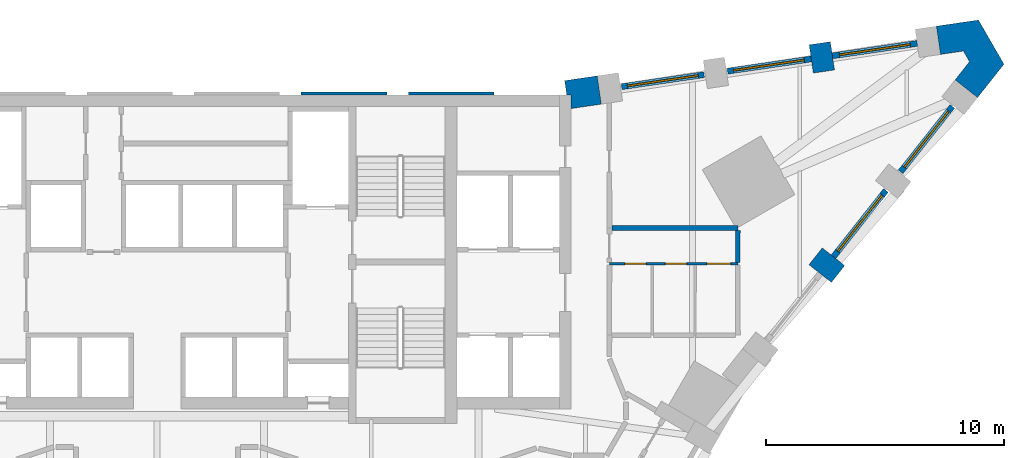
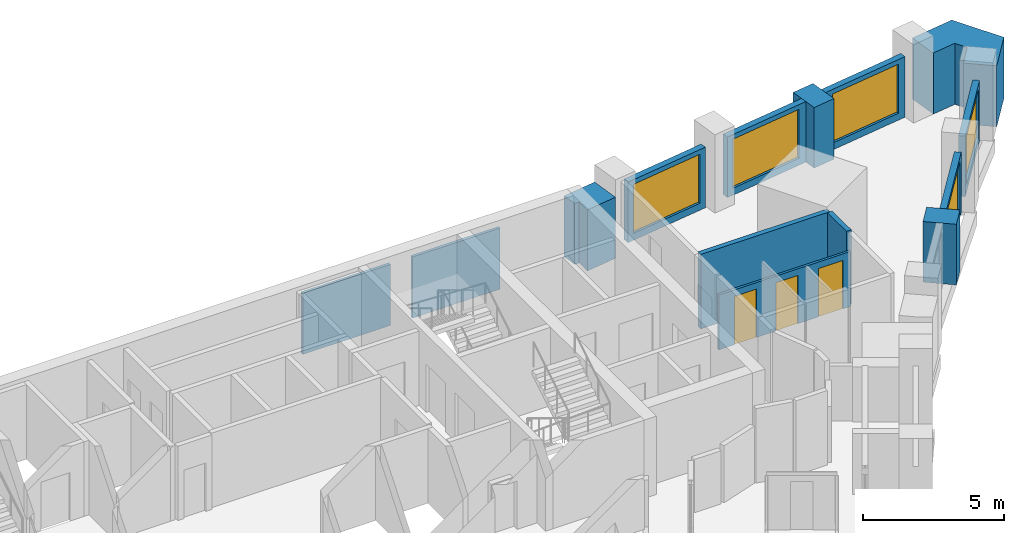
# One storey, part 9 of 11: 14 walls, 5 windows, 3 doors, 8 openings.
"""IFC4 building model written with IfcOpenShell, lengths in metres."""

from ifc_helpers import new_model, si_unit, direction, frame, frame_2d, origin, place, context, subcontext, project, spatial, polyline, rectangle, outline, extrude, material, layer, layer_set, type_object, element, fill, save


model = new_model("IFC4")

# Units and contexts
model_context = context("Model", 3, precision=1e-05, world=origin(), true_north=direction((0.0, 1.0)))
body_context = subcontext(model_context, "Body", "Model", "MODEL_VIEW")
ifc_project = project(units=[si_unit("LENGTHUNIT", "METRE"), si_unit("AREAUNIT", "SQUARE_METRE"), si_unit("VOLUMEUNIT", "CUBIC_METRE"), si_unit("PLANEANGLEUNIT", "RADIAN"), si_unit("MASSUNIT", "GRAM", prefix="KILO")], contexts=[model_context])

# Site, building, storey
site_placement = place(None, origin())
site = spatial("IfcSite", under=ifc_project, at=site_placement, CompositionType="ELEMENT")
building_placement = place(site_placement, origin())
building = spatial("IfcBuilding", under=site, at=building_placement, Name="Calabash Gate Tower", CompositionType="ELEMENT")
storey_placement = place(building_placement, frame((0.0, 0.0, 129.199951171875)))
storey = spatial("IfcBuildingStorey", under=building, at=storey_placement, Name="L30", CompositionType="ELEMENT", Elevation=129.199951171875)

# Walls
ifc_material_1 = material(Name="Terracotta brick masonry, exposed face", Category="masonry")
ifc_layer_1 = layer(ifc_material_1, 1.199951171875)
ifc_layer_set_1 = layer_set([ifc_layer_1], Name="Brick end wall 1200")
wall_type_1 = type_object("IfcWallType", Name="Brick end wall 1200", PredefinedType="SOLIDWALL", material=ifc_layer_set_1)
wall_1_placement = place(storey_placement, frame((28.6083984375, 11.5224609375, 0.0), z_axis=(0.0, 0.0, 1.0), x_axis=(-0.784408686564, 0.620244316736, 0.0)))
element("IfcWall", 1, at=wall_1_placement, inside=storey, type_object=wall_type_1, Name="Brick pier S08 wedge3.1", PredefinedType="SOLIDWALL", context=body_context, shape_type="SweptSolid", body=[
    extrude(rectangle(XDim=1.2001953125, YDim=0.89990234375, at=frame_2d((0.60009765625, 0.0))), origin(), (0.0, 0.0, 1.0), 2.630126953125),
])
wall_2_placement = place(storey_placement, frame((27.84033203125, 21.217041015625, 0.0), z_axis=(0.0, 0.0, 1.0), x_axis=(0.145066385332, -0.989421924078, 0.0)))
element("IfcWall", 2, at=wall_2_placement, inside=storey, type_object=wall_type_1, Name="Brick pier S08 wedge5.1", PredefinedType="SOLIDWALL", context=body_context, shape_type="SweptSolid", body=[
    extrude(rectangle(XDim=1.199951171875, YDim=0.89990234375, at=frame_2d((0.60009765625, 0.0))), origin(), (0.0, 0.0, 1.0), 2.630126953125),
])
wall_3_placement = place(storey_placement, origin())
element("IfcWall", 3, at=wall_3_placement, inside=storey, type_object=wall_type_1, Name="Brick end wall S08 2", PredefinedType="SOLIDWALL", context=body_context, shape_type="SweptSolid", body=[
    extrude(outline(polyline([(34.13330078125, 20.443359375), (33.52880859375, 19.678955078125), (34.47021484375, 18.9345703125), (35.579833984375, 20.337890625), (34.50830078125, 22.1943359375), (32.73828125, 21.934814453125), (32.912109375, 20.74755859375), (33.876220703125, 20.888916015625), (34.13330078125, 20.443359375)])), origin(), (0.0, 0.0, 1.0), 2.650146484375),
])
wall_4_placement = place(storey_placement, origin())
element("IfcWall", 4, at=wall_4_placement, inside=storey, type_object=wall_type_1, Name="Brick end wall S08 3", PredefinedType="SOLIDWALL", context=body_context, shape_type="SweptSolid", body=[
    extrude(outline(polyline([(17.123046875, 19.646240234375), (17.2099609375, 19.052490234375), (17.39990234375, 19.052490234375), (17.39990234375, 18.473876953125), (18.664306640625, 18.6591796875), (18.490234375, 19.8466796875), (17.123046875, 19.646240234375)])), origin(), (0.0, 0.0, 1.0), 2.650146484375),
])

# Wall, openings, doors
ifc_material_2 = material(Name="Gypsum board on steel studs, mineral wool", Category="steel")
ifc_layer_2 = layer(ifc_material_2, 0.10009765625)
ifc_layer_set_2 = layer_set([ifc_layer_2], Name="Partition 100 gypsum board")
wall_type_2 = type_object("IfcWallType", Name="Partition 100 gypsum board", PredefinedType="PARTITIONING", material=ifc_layer_set_2)
wall_5_placement = place(storey_placement, frame((19.000244140625, 11.95068359375, 0.0), z_axis=(0.0, 0.0, 1.0), x_axis=(1.0, 0.0, 0.0)))
wall_5 = element("IfcWall", 5, at=wall_5_placement, inside=storey, type_object=wall_type_2, Name="Partition", PredefinedType="PARTITIONING", context=body_context, shape_type="SweptSolid", body=[
    extrude(rectangle(XDim=5.399658203125, YDim=0.10009765625, at=frame_2d((2.69970703125, 0.0))), origin(), (0.0, 0.0, 1.0), 2.384033203125),
])
opening_1_placement = place(wall_5_placement, frame((0.64990234375, 0.0, 0.0)))
opening_1 = element("IfcOpeningElement", 6, at=opening_1_placement, cuts=wall_5, Name="Opening 28-30-017", PredefinedType="OPENING", context=body_context, shape_type="SweptSolid", body=[
    extrude(rectangle(XDim=0.89990234375, YDim=2.10009765625, at=frame_2d((0.449951171875, 1.050048828125))), frame((0.0, 0.06005859375, 0.0), z_axis=(0.0, -1.0, 0.0), x_axis=(1.0, 0.0, 0.0)), (0.0, 0.0, 1.0), 0.1201171875),
])
opening_2_placement = place(wall_5_placement, frame((2.349853515625, 0.0, 0.0)))
opening_2 = element("IfcOpeningElement", 7, at=opening_2_placement, cuts=wall_5, Name="Opening 28-30-018", PredefinedType="OPENING", context=body_context, shape_type="SweptSolid", body=[
    extrude(rectangle(XDim=0.89990234375, YDim=2.10009765625, at=frame_2d((0.449951171875, 1.050048828125))), frame((0.0, 0.06005859375, 0.0), z_axis=(0.0, -1.0, 0.0), x_axis=(1.0, 0.0, 0.0)), (0.0, 0.0, 1.0), 0.1201171875),
])
opening_3_placement = place(wall_5_placement, frame((4.099853515625, 0.0, 0.0)))
opening_3 = element("IfcOpeningElement", 8, at=opening_3_placement, cuts=wall_5, Name="Opening 28-30-019", PredefinedType="OPENING", context=body_context, shape_type="SweptSolid", body=[
    extrude(rectangle(XDim=1.0, YDim=2.10009765625, at=frame_2d((0.5, 1.050048828125))), frame((0.0, 0.06005859375, 0.0), z_axis=(0.0, -1.0, 0.0), x_axis=(1.0, 0.0, 0.0)), (0.0, 0.0, 1.0), 0.1201171875),
])
ifc_material_3 = material(Name="Painted timber door", Category="wood")
door_type_1 = type_object("IfcDoorType", Name="WD1 WC door 900x2100", OperationType="NOTDEFINED", PredefinedType="DOOR", material=ifc_material_3)
door_1_placement = place(opening_1_placement, origin())
door_1 = element("IfcDoor", 9, at=door_1_placement, inside=storey, type_object=door_type_1, Name="WC door", OperationType="SINGLE_SWING_RIGHT", OverallHeight=2.10009765625, OverallWidth=0.89990234375, PredefinedType="DOOR", context=body_context, shape_type="SweptSolid", body=[
    extrude(rectangle(XDim=0.89990234375, YDim=2.10009765625, at=frame_2d((0.449951171875, 1.050048828125))), frame((0.0, 0.02490234375, 0.0), z_axis=(0.0, -1.0, 0.0), x_axis=(1.0, 0.0, 0.0)), (0.0, 0.0, 1.0), 0.050048828125),
])
fill(opening_1, door_1)
door_2_placement = place(opening_2_placement, origin())
door_2 = element("IfcDoor", 10, at=door_2_placement, inside=storey, type_object=door_type_1, Name="WC door", OperationType="SINGLE_SWING_LEFT", OverallHeight=2.10009765625, OverallWidth=0.89990234375, PredefinedType="DOOR", context=body_context, shape_type="SweptSolid", body=[
    extrude(rectangle(XDim=0.89990234375, YDim=2.10009765625, at=frame_2d((0.449951171875, 1.050048828125))), frame((0.0, 0.02490234375, 0.0), z_axis=(0.0, -1.0, 0.0), x_axis=(1.0, 0.0, 0.0)), (0.0, 0.0, 1.0), 0.050048828125),
])
fill(opening_2, door_2)
ifc_material_4 = material(Name="Painted timber door", Category="wood")
door_type_2 = type_object("IfcDoorType", Name="WD2 Accessible WC door 1000x2100", OperationType="NOTDEFINED", PredefinedType="DOOR", material=ifc_material_4)
door_3_placement = place(opening_3_placement, origin())
door_3 = element("IfcDoor", 11, at=door_3_placement, inside=storey, type_object=door_type_2, Name="Accessible WC door", OperationType="SINGLE_SWING_LEFT", OverallHeight=2.10009765625, OverallWidth=1.0, PredefinedType="DOOR", context=body_context, shape_type="SweptSolid", body=[
    extrude(rectangle(XDim=1.0, YDim=2.10009765625, at=frame_2d((0.5, 1.050048828125))), frame((0.0, 0.02490234375, 0.0), z_axis=(0.0, -1.0, 0.0), x_axis=(1.0, 0.0, 0.0)), (0.0, 0.0, 1.0), 0.050048828125),
])
fill(opening_3, door_3)

# Walls
ifc_material_5 = material(Name="Gypsum board on steel studs, mineral wool", Category="steel")
ifc_layer_3 = layer(ifc_material_5, 0.199951171875)
ifc_layer_set_3 = layer_set([ifc_layer_3], Name="Partition 200 gypsum board EI 60")
wall_type_3 = type_object("IfcWallType", Name="Partition 200 gypsum board EI 60", PredefinedType="PARTITIONING", material=ifc_layer_set_3)
wall_6_placement = place(storey_placement, frame((24.3984375, 12.002685546875, 0.0), z_axis=(0.0, 0.0, 1.0), x_axis=(0.00108499032, 0.999999411398, 0.0)))
element("IfcWall", 12, at=wall_6_placement, inside=storey, type_object=wall_type_3, Name="Partition", PredefinedType="PARTITIONING", context=body_context, shape_type="SweptSolid", body=[
    extrude(rectangle(XDim=1.35009765625, YDim=0.199951171875, at=frame_2d((0.675048828125, 0.0))), origin(), (0.0, 0.0, 1.0), 3.22998046875),
])
wall_7_placement = place(storey_placement, frame((19.10205078125, 13.451171875, 0.0), z_axis=(0.0, 0.0, 1.0), x_axis=(0.999999947971, 0.000322580628, 0.0)))
element("IfcWall", 13, at=wall_7_placement, inside=storey, type_object=wall_type_3, Name="Partition", PredefinedType="PARTITIONING", context=body_context, shape_type="SweptSolid", body=[
    extrude(rectangle(XDim=5.2978515625, YDim=0.199951171875, at=frame_2d((2.64892578125, 0.0))), origin(), (0.0, 0.0, 1.0), 3.22998046875),
])

# Wall, opening, window
ifc_material_6 = material(Name="Aluminium framed window wall with insulated spandrel", Category="aluminium")
ifc_layer_4 = layer(ifc_material_6, 0.25)
ifc_layer_set_4 = layer_set([ifc_layer_4], Name="Prow window wall 250")
wall_type_4 = type_object("IfcWallType", Name="Prow window wall 250", PredefinedType="ELEMENTEDWALL", material=ifc_layer_set_4)
wall_8_placement = place(storey_placement, frame((28.41552734375, 12.24609375, 0.0), z_axis=(0.0, 0.0, 1.0), x_axis=(0.620334919108, 0.784337037335, 0.0)))
wall_8 = element("IfcWall", 14, at=wall_8_placement, inside=storey, type_object=wall_type_4, Name="Prow window wall S08 wedge3.2", PredefinedType="ELEMENTEDWALL", context=body_context, shape_type="SweptSolid", body=[
    extrude(rectangle(XDim=3.552001953125, YDim=0.25, at=frame_2d((1.77587890625, 0.0))), origin(), (0.0, 0.0, 1.0), 2.630126953125),
])
opening_4_placement = place(wall_8_placement, frame((0.302001953125, 0.0, 0.300048828125)))
opening_4 = element("IfcOpeningElement", 15, at=opening_4_placement, cuts=wall_8, Name="Opening WP1L-2130", PredefinedType="OPENING", context=body_context, shape_type="SweptSolid", body=[
    extrude(rectangle(XDim=3.0, YDim=2.1298828125, at=frame_2d((1.5, 1.06494140625))), frame((0.0, 0.135009765625, 0.0), z_axis=(0.0, -1.0, 0.0), x_axis=(1.0, 0.0, 0.0)), (0.0, 0.0, 1.0), 0.27001953125),
])
ifc_material_7 = material(Name="Anodised aluminium frame, bronze finish, impact-rated laminated clear glazing", Category="aluminium")
window_type = type_object("IfcWindowType", Name="Window WP1L 3000x2130", PartitioningType="DOUBLE_PANEL_VERTICAL", PredefinedType="WINDOW", material=ifc_material_7)
window_1_placement = place(opening_4_placement, origin())
window_1 = element("IfcWindow", 16, at=window_1_placement, inside=storey, type_object=window_type, Name="Prow window WP1L S08 wedge3.2", OverallHeight=2.1298828125, OverallWidth=3.0, PartitioningType="SINGLE_PANEL", PredefinedType="WINDOW", context=body_context, shape_type="SweptSolid", body=[
    extrude(rectangle(XDim=3.0, YDim=2.1298828125, at=frame_2d((1.5, 1.06494140625))), frame((0.0, 0.030029296875, 0.0), z_axis=(0.0, -1.0, 0.0), x_axis=(1.0, 0.0, 0.0)), (0.0, 0.0, 1.0), 0.06005859375),
])
fill(opening_4, window_1)

wall_9_placement = place(storey_placement, frame((31.2392578125, 15.81640625, 0.0), z_axis=(0.0, 0.0, 1.0), x_axis=(0.620261535806, 0.784395070866, 0.0)))
wall_9 = element("IfcWall", 17, at=wall_9_placement, inside=storey, type_object=wall_type_4, Name="Prow window wall S08 wedge3.3", PredefinedType="ELEMENTEDWALL", context=body_context, shape_type="SweptSolid", body=[
    extrude(rectangle(XDim=3.5, YDim=0.25, at=frame_2d((1.75, 0.0))), origin(), (0.0, 0.0, 1.0), 2.630126953125),
])
opening_5_placement = place(wall_9_placement, frame((0.25, 0.0, 0.300048828125)))
opening_5 = element("IfcOpeningElement", 18, at=opening_5_placement, cuts=wall_9, Name="Opening WP1L-2130", PredefinedType="OPENING", context=body_context, shape_type="SweptSolid", body=[
    extrude(rectangle(XDim=3.0, YDim=2.1298828125, at=frame_2d((1.5, 1.06494140625))), frame((0.0, 0.135009765625, 0.0), z_axis=(0.0, -1.0, 0.0), x_axis=(1.0, 0.0, 0.0)), (0.0, 0.0, 1.0), 0.27001953125),
])
window_2_placement = place(opening_5_placement, origin())
window_2 = element("IfcWindow", 19, at=window_2_placement, inside=storey, type_object=window_type, Name="Prow window WP1L S08 wedge3.3", OverallHeight=2.1298828125, OverallWidth=3.0, PartitioningType="SINGLE_PANEL", PredefinedType="WINDOW", context=body_context, shape_type="SweptSolid", body=[
    extrude(rectangle(XDim=3.0, YDim=2.1298828125, at=frame_2d((1.5, 1.06494140625))), frame((0.0, 0.030029296875, 0.0), z_axis=(0.0, -1.0, 0.0), x_axis=(1.0, 0.0, 0.0)), (0.0, 0.0, 1.0), 0.06005859375),
])
fill(opening_5, window_2)

wall_10_placement = place(storey_placement, frame((31.9345703125, 21.210693359375, 0.0), z_axis=(0.0, 0.0, 1.0), x_axis=(-0.98942335115, -0.145056651687, 0.0)))
wall_10 = element("IfcWall", 20, at=wall_10_placement, inside=storey, type_object=wall_type_4, Name="Prow window wall S08 wedge5.1", PredefinedType="ELEMENTEDWALL", context=body_context, shape_type="SweptSolid", body=[
    extrude(rectangle(XDim=3.60009765625, YDim=0.25, at=frame_2d((1.800048828125, 0.0))), origin(), (0.0, 0.0, 1.0), 2.630126953125),
])
opening_6_placement = place(wall_10_placement, frame((0.300048828125, 0.0, 0.300048828125)))
opening_6 = element("IfcOpeningElement", 21, at=opening_6_placement, cuts=wall_10, Name="Opening WP1L-2130", PredefinedType="OPENING", context=body_context, shape_type="SweptSolid", body=[
    extrude(rectangle(XDim=3.0, YDim=2.1298828125, at=frame_2d((1.5, 1.06494140625))), frame((0.0, 0.135009765625, 0.0), z_axis=(0.0, -1.0, 0.0), x_axis=(1.0, 0.0, 0.0)), (0.0, 0.0, 1.0), 0.27001953125),
])
window_3_placement = place(opening_6_placement, origin())
window_3 = element("IfcWindow", 22, at=window_3_placement, inside=storey, type_object=window_type, Name="Prow window WP1L S08 wedge5.1", OverallHeight=2.1298828125, OverallWidth=3.0, PartitioningType="SINGLE_PANEL", PredefinedType="WINDOW", context=body_context, shape_type="SweptSolid", body=[
    extrude(rectangle(XDim=3.0, YDim=2.1298828125, at=frame_2d((1.5, 1.06494140625))), frame((0.0, 0.030029296875, 0.0), z_axis=(0.0, -1.0, 0.0), x_axis=(1.0, 0.0, 0.0)), (0.0, 0.0, 1.0), 0.06005859375),
])
fill(opening_6, window_3)

wall_11_placement = place(storey_placement, frame((27.484130859375, 20.558349609375, 0.0), z_axis=(0.0, 0.0, 1.0), x_axis=(-0.989427410985, -0.145028957081, 0.0)))
wall_11 = element("IfcWall", 23, at=wall_11_placement, inside=storey, type_object=wall_type_4, Name="Prow window wall S08 wedge5.2", PredefinedType="ELEMENTEDWALL", context=body_context, shape_type="SweptSolid", body=[
    extrude(rectangle(XDim=3.552001953125, YDim=0.25, at=frame_2d((1.77587890625, 0.0))), origin(), (0.0, 0.0, 1.0), 2.630126953125),
])
opening_7_placement = place(wall_11_placement, frame((0.302001953125, 0.0, 0.300048828125)))
opening_7 = element("IfcOpeningElement", 24, at=opening_7_placement, cuts=wall_11, Name="Opening WP1L-2130", PredefinedType="OPENING", context=body_context, shape_type="SweptSolid", body=[
    extrude(rectangle(XDim=3.0, YDim=2.1298828125, at=frame_2d((1.5, 1.06494140625))), frame((0.0, 0.135009765625, 0.0), z_axis=(0.0, -1.0, 0.0), x_axis=(1.0, 0.0, 0.0)), (0.0, 0.0, 1.0), 0.27001953125),
])
window_4_placement = place(opening_7_placement, origin())
window_4 = element("IfcWindow", 25, at=window_4_placement, inside=storey, type_object=window_type, Name="Prow window WP1L S08 wedge5.2", OverallHeight=2.1298828125, OverallWidth=3.0, PartitioningType="SINGLE_PANEL", PredefinedType="WINDOW", context=body_context, shape_type="SweptSolid", body=[
    extrude(rectangle(XDim=3.0, YDim=2.1298828125, at=frame_2d((1.5, 1.06494140625))), frame((0.0, 0.030029296875, 0.0), z_axis=(0.0, -1.0, 0.0), x_axis=(1.0, 0.0, 0.0)), (0.0, 0.0, 1.0), 0.06005859375),
])
fill(opening_7, window_4)

wall_12_placement = place(storey_placement, frame((22.980224609375, 19.898193359375, 0.0), z_axis=(0.0, 0.0, 1.0), x_axis=(-0.989428130675, -0.145024047072, 0.0)))
wall_12 = element("IfcWall", 26, at=wall_12_placement, inside=storey, type_object=wall_type_4, Name="Prow window wall S08 wedge5.3", PredefinedType="ELEMENTEDWALL", context=body_context, shape_type="SweptSolid", body=[
    extrude(rectangle(XDim=3.5, YDim=0.25, at=frame_2d((1.75, 0.0))), origin(), (0.0, 0.0, 1.0), 2.630126953125),
])
opening_8_placement = place(wall_12_placement, frame((0.25, 0.0, 0.300048828125)))
opening_8 = element("IfcOpeningElement", 27, at=opening_8_placement, cuts=wall_12, Name="Opening WP1L-2130", PredefinedType="OPENING", context=body_context, shape_type="SweptSolid", body=[
    extrude(rectangle(XDim=3.0, YDim=2.1298828125, at=frame_2d((1.5, 1.06494140625))), frame((0.0, 0.135009765625, 0.0), z_axis=(0.0, -1.0, 0.0), x_axis=(1.0, 0.0, 0.0)), (0.0, 0.0, 1.0), 0.27001953125),
])
window_5_placement = place(opening_8_placement, origin())
window_5 = element("IfcWindow", 28, at=window_5_placement, inside=storey, type_object=window_type, Name="Prow window WP1L S08 wedge5.3", OverallHeight=2.1298828125, OverallWidth=3.0, PartitioningType="SINGLE_PANEL", PredefinedType="WINDOW", context=body_context, shape_type="SweptSolid", body=[
    extrude(rectangle(XDim=3.0, YDim=2.1298828125, at=frame_2d((1.5, 1.06494140625))), frame((0.0, 0.030029296875, 0.0), z_axis=(0.0, -1.0, 0.0), x_axis=(1.0, 0.0, 0.0)), (0.0, 0.0, 1.0), 0.06005859375),
])
fill(opening_8, window_5)

# Walls
ifc_material_8 = material(Name="Terracotta brick masonry, perforated", Category="masonry")
ifc_layer_5 = layer(ifc_material_8, 0.1201171875)
ifc_layer_set_5 = layer_set([ifc_layer_5], Name="Terracotta jaali cladding B 120")
wall_type_5 = type_object("IfcWallType", Name="Terracotta jaali cladding B 120", PredefinedType="SOLIDWALL", material=ifc_layer_set_5)
wall_13_placement = place(storey_placement, origin())
element("IfcWall", 29, at=wall_13_placement, inside=storey, type_object=wall_type_5, Name="Jaali cladding S08 N6.1", PredefinedType="SOLIDWALL", context=body_context, shape_type="SweptSolid", body=[
    extrude(outline(polyline([(10.552978515625, 19.172607421875), (10.552978515625, 19.052490234375), (14.153076171875, 19.052490234375), (14.153076171875, 19.172607421875), (10.552978515625, 19.172607421875)])), origin(), (0.0, 0.0, 1.0), 2.650146484375),
])
ifc_material_9 = material(Name="Terracotta louvre blades in an aluminium frame", Category="masonry")
ifc_layer_6 = layer(ifc_material_9, 0.1201171875)
ifc_layer_set_6 = layer_set([ifc_layer_6], Name="Terracotta vent louvre cladding 120")
wall_type_6 = type_object("IfcWallType", Name="Terracotta vent louvre cladding 120", PredefinedType="ELEMENTEDWALL", material=ifc_layer_set_6)
wall_14_placement = place(storey_placement, origin())
element("IfcWall", 30, at=wall_14_placement, inside=storey, type_object=wall_type_6, Name="Vent louvre cladding S08 N6.2", PredefinedType="ELEMENTEDWALL", context=body_context, shape_type="SweptSolid", body=[
    extrude(outline(polyline([(6.052978515625, 19.172607421875), (6.052978515625, 19.052490234375), (9.653076171875, 19.052490234375), (9.653076171875, 19.172607421875), (6.052978515625, 19.172607421875)])), origin(), (0.0, 0.0, 1.0), 2.650146484375),
])

save(model, "model.ifc")
